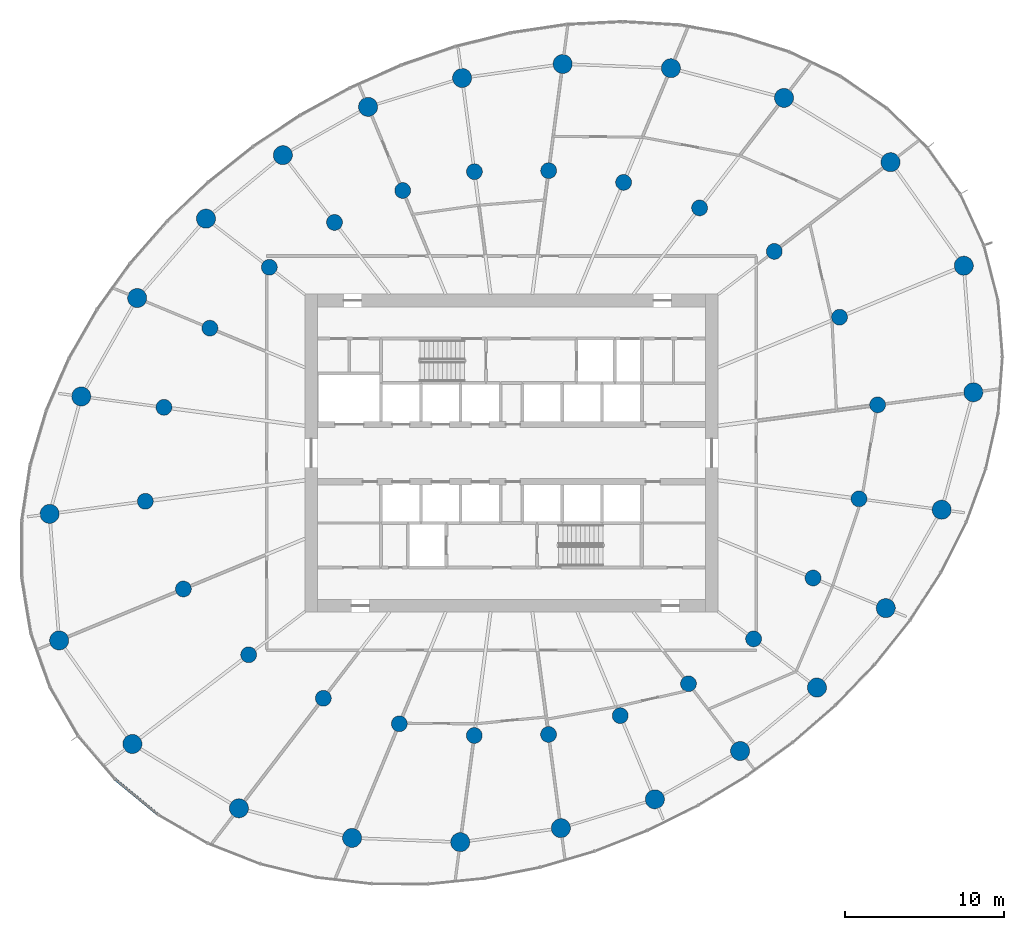
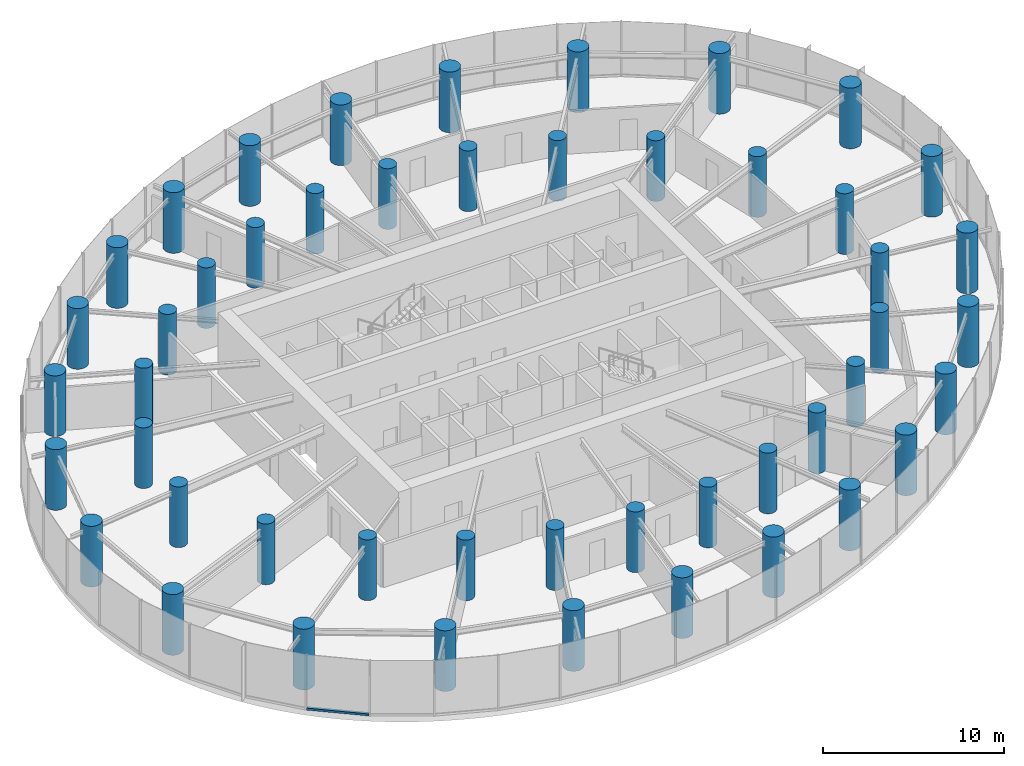
# One storey, part 1 of 17: 48 columns, 1 member, 1 element without a shape of its own.
"""IFC4 building model written with IfcOpenShell, lengths in metres."""

from ifc_helpers import new_model, si_unit, direction, frame, origin, origin_2d, place, context, subcontext, project, spatial, rectangle, circle, extrude, source, transform, mapped, material, layer, layer_set, material_profile, profile_set, type_object, element, aggregate, save


model = new_model("IFC4")

# Units and contexts
model_context = context("Model", 3, precision=1e-05, world=origin(), true_north=direction((0.0, 1.0)))
body_context = subcontext(model_context, "Body", "Model", "MODEL_VIEW")
ifc_project = project(units=[si_unit("LENGTHUNIT", "METRE"), si_unit("AREAUNIT", "SQUARE_METRE"), si_unit("VOLUMEUNIT", "CUBIC_METRE"), si_unit("PLANEANGLEUNIT", "RADIAN"), si_unit("MASSUNIT", "GRAM", prefix="KILO")], contexts=[model_context])

# Site, building, storey
site_placement = place(None, origin())
site = spatial("IfcSite", under=ifc_project, at=site_placement, CompositionType="ELEMENT")
building_placement = place(site_placement, origin())
building = spatial("IfcBuilding", under=site, at=building_placement, Name="Spindrift Exchange Tower", CompositionType="ELEMENT")
storey_placement = place(building_placement, frame((0.0, 0.0, 120.800048828125)))
storey = spatial("IfcBuildingStorey", under=building, at=storey_placement, Name="L28", CompositionType="ELEMENT", Elevation=120.800048828125)

# Columns
ifc_material_1 = material(Name="Concrete 65 MPa", Category="concrete")
ifc_material_profile_1 = material_profile(ifc_material_1, circle(Radius=0.5, at=origin_2d()), Name="RC D1000")
ifc_profile_set_1 = profile_set([ifc_material_profile_1], Name="Concrete 65 MPa")
column_type_1 = type_object("IfcColumnType", Name="RC Inner Column D1000 Concrete 65 MPa", PredefinedType="COLUMN", material=ifc_profile_set_1)
shared_shape_1 = source(origin(), body_context, "Body", "SweptSolid", [
    extrude(circle(Radius=0.5, at=origin_2d()), origin(), (0.0, 0.0, 1.0), 4.099853515625),
])
for number, where, z_axis, x_axis, name in (
    (1, (75.033935546875, 51.032470703125, 0.0), (0.0, 0.0, 1.0), (1.0, 0.0, 0.0), "Inner column Q2-01 L28"),
    (2, (72.639404296875, 56.549072265625, 0.0), (0.0, 0.0, 1.0), (1.0, 0.0, 0.0), "Inner column Q2-02 L28"),
    (3, (68.534912109375, 60.6875, 0.0), (0.0, 0.0, 1.0), (1.0, 0.0, 0.0), "Inner column Q2-03 L28"),
    (4, (63.835205078125, 63.423828125, 0.0), (0.0, 0.0, 1.0), (1.0, 0.0, 0.0), "Inner column Q2-04 L28"),
    (5, (59.0546875, 65.03125, 0.0), (0.0, 0.0, 1.0), (1.0, 0.0, 0.0), "Inner column Q2-05 L28"),
    (6, (54.339111328125, 65.767333984375, 0.0), (0.0, 0.0, 1.0), (1.0, 0.0, 0.0), "Inner column Q2-06 L28"),
    (7, (49.669189453125, 65.703125, 0.0), (0.0, 0.0, 1.0), (1.0, 0.0, 0.0), "Inner column Q2-07 L28"),
    (8, (45.158203125, 64.517578125, 0.0), (0.0, 0.0, 1.0), (1.0, 0.0, 0.0), "Inner column Q2-08 L28"),
    (9, (40.8662109375, 62.510009765625, 0.0), (0.0, 0.0, 1.0), (1.0, 0.0, 0.0), "Inner column Q2-09 L28"),
    (10, (36.767578125, 59.688232421875, 0.0), (0.0, 0.0, 1.0), (1.0, 0.0, 0.0), "Inner column Q2-10 L28"),
    (11, (33.027587890625, 55.858642578125, 0.0), (0.0, 0.0, 1.0), (1.0, 0.0, 0.0), "Inner column Q2-11 L28"),
    (12, (30.13671875, 50.87841796875, 0.0), (0.0, 0.0, 1.0), (1.0, 0.0, 0.0), "Inner column Q2-12 L28"),
    (13, (28.966064453125, 44.967529296875, 0.0), (0.0, 0.0, 1.0), (1.0, 0.0, 0.0), "Inner column Q2-13 L28"),
    (14, (31.360595703125, 39.450927734375, 0.0), (0.0, 0.0, 1.0), (1.0, 0.0, 0.0), "Inner column Q2-14 L28"),
    (15, (35.465087890625, 35.3125, 0.0), (0.0, 0.0, 1.0), (1.0, 0.0, 0.0), "Inner column Q2-15 L28"),
    (16, (40.164794921875, 32.576171875, 0.0), (0.0, 0.0, 1.0), (1.0, 0.0, 0.0), "Inner column Q2-16 L28"),
    (17, (44.9453125, 30.96875, 0.0), (0.0, 0.0, 1.0), (1.0, 0.0, 0.0), "Inner column Q2-17 L28"),
    (18, (49.660888671875, 30.232666015625, 0.0), (0.0, 0.0, 1.0), (1.0, 0.0, 0.0), "Inner column Q2-18 L28"),
    (19, (54.330810546875, 30.296875, 0.0), (0.0, 0.0, 1.0), (1.0, 0.0, 0.0), "Inner column Q2-19 L28"),
    (20, (58.841796875, 31.482421875, 0.0), (0.0, 0.0, 1.0), (1.0, 0.0, 0.0), "Inner column Q2-20 L28"),
    (21, (63.1337890625, 33.489990234375, 0.0), (0.0, 0.0, 1.0), (1.0, 0.0, 0.0), "Inner column Q2-21 L28"),
    (22, (67.232421875, 36.311767578125, 0.0), (0.0, 0.0, 1.0), (1.0, 0.0, 0.0), "Inner column Q2-22 L28"),
    (23, (70.972412109375, 40.141357421875, 0.0), (0.0, 0.0, 1.0), (1.0, 0.0, 0.0), "Inner column Q2-23 L28"),
    (24, (73.86328125, 45.12158203125, 0.0), (0.0, 0.0, 1.0), (1.0, 0.0, 0.0), "Inner column Q2-24 L28"),
):
    element("IfcColumn", number, at=place(storey_placement, frame(where, z_axis=z_axis, x_axis=x_axis)), inside=storey, type_object=column_type_1, Name=name, PredefinedType="COLUMN", context=body_context, shape_type="MappedRepresentation", body=[
        mapped(shared_shape_1, transform((0.0, 0.0, 0.0), scale=1.0)),
    ])
ifc_material_profile_2 = material_profile(ifc_material_1, circle(Radius=0.60009765625, at=origin_2d()), Name="RC D1200")
ifc_profile_set_2 = profile_set([ifc_material_profile_2], Name="Concrete 65 MPa")
column_type_2 = type_object("IfcColumnType", Name="RC Perimeter Column D1200 Concrete 65 MPa", PredefinedType="COLUMN", material=ifc_profile_set_2)
shared_shape_2 = source(origin(), body_context, "Body", "SweptSolid", [
    extrude(circle(Radius=0.60009765625, at=origin_2d()), origin(), (0.0, 0.0, 1.0), 4.099853515625),
])
for number, where, z_axis, x_axis, name in (
    (25, (81.056396484375, 51.8251953125, 0.0), (0.0, 0.0, 1.0), (1.0, 0.0, 0.0), "Perimeter column P2-01 L28"),
    (26, (80.45556640625, 59.78662109375, 0.0), (0.0, 0.0, 1.0), (1.0, 0.0, 0.0), "Perimeter column P2-02 L28"),
    (27, (75.84814453125, 66.29931640625, 0.0), (0.0, 0.0, 1.0), (1.0, 0.0, 0.0), "Perimeter column P2-03 L28"),
    (28, (69.145751953125, 70.3447265625, 0.0), (0.0, 0.0, 1.0), (1.0, 0.0, 0.0), "Perimeter column P2-04 L28"),
    (29, (62.029052734375, 72.212158203125, 0.0), (0.0, 0.0, 1.0), (1.0, 0.0, 0.0), "Perimeter column P2-05 L28"),
    (30, (55.222412109375, 72.476806640625, 0.0), (0.0, 0.0, 1.0), (1.0, 0.0, 0.0), "Perimeter column P2-06 L28"),
    (31, (48.8935546875, 71.595458984375, 0.0), (0.0, 0.0, 1.0), (1.0, 0.0, 0.0), "Perimeter column P2-07 L28"),
    (32, (42.978271484375, 69.780517578125, 0.0), (0.0, 0.0, 1.0), (1.0, 0.0, 0.0), "Perimeter column P2-08 L28"),
    (33, (37.617919921875, 66.742919921875, 0.0), (0.0, 0.0, 1.0), (1.0, 0.0, 0.0), "Perimeter column P2-09 L28"),
    (34, (32.7802734375, 62.747802734375, 0.0), (0.0, 0.0, 1.0), (1.0, 0.0, 0.0), "Perimeter column P2-10 L28"),
    (35, (28.4521484375, 57.75390625, 0.0), (0.0, 0.0, 1.0), (1.0, 0.0, 0.0), "Perimeter column P2-11 L28"),
    (36, (24.935546875, 51.56298828125, 0.0), (0.0, 0.0, 1.0), (1.0, 0.0, 0.0), "Perimeter column P2-12 L28"),
    (37, (22.943603515625, 44.1748046875, 0.0), (0.0, 0.0, 1.0), (1.0, 0.0, 0.0), "Perimeter column P2-13 L28"),
    (38, (23.54443359375, 36.21337890625, 0.0), (0.0, 0.0, 1.0), (1.0, 0.0, 0.0), "Perimeter column P2-14 L28"),
    (39, (28.15185546875, 29.70068359375, 0.0), (0.0, 0.0, 1.0), (1.0, 0.0, 0.0), "Perimeter column P2-15 L28"),
    (40, (34.854248046875, 25.6552734375, 0.0), (0.0, 0.0, 1.0), (1.0, 0.0, 0.0), "Perimeter column P2-16 L28"),
    (41, (41.970947265625, 23.787841796875, 0.0), (0.0, 0.0, 1.0), (1.0, 0.0, 0.0), "Perimeter column P2-17 L28"),
    (42, (48.777587890625, 23.523193359375, 0.0), (0.0, 0.0, 1.0), (1.0, 0.0, 0.0), "Perimeter column P2-18 L28"),
    (43, (55.1064453125, 24.404541015625, 0.0), (0.0, 0.0, 1.0), (1.0, 0.0, 0.0), "Perimeter column P2-19 L28"),
    (44, (61.021728515625, 26.219482421875, 0.0), (0.0, 0.0, 1.0), (1.0, 0.0, 0.0), "Perimeter column P2-20 L28"),
    (45, (66.382080078125, 29.257080078125, 0.0), (0.0, 0.0, 1.0), (1.0, 0.0, 0.0), "Perimeter column P2-21 L28"),
    (46, (71.2197265625, 33.252197265625, 0.0), (0.0, 0.0, 1.0), (1.0, 0.0, 0.0), "Perimeter column P2-22 L28"),
    (47, (75.5478515625, 38.24609375, 0.0), (0.0, 0.0, 1.0), (1.0, 0.0, 0.0), "Perimeter column P2-23 L28"),
    (48, (79.064453125, 44.43701171875, 0.0), (0.0, 0.0, 1.0), (1.0, 0.0, 0.0), "Perimeter column P2-24 L28"),
):
    element("IfcColumn", number, at=place(storey_placement, frame(where, z_axis=z_axis, x_axis=x_axis)), inside=storey, type_object=column_type_2, Name=name, PredefinedType="COLUMN", context=body_context, shape_type="MappedRepresentation", body=[
        mapped(shared_shape_2, transform((0.0, 0.0, 0.0), scale=1.0)),
    ])

# Curtain wall, member
ifc_material_2 = material(Name="Fritted laminated glass with bronze frame", Category="glass")
ifc_layer = layer(ifc_material_2, 0.18994140625)
ifc_layer_set = layer_set([ifc_layer], Name="ZONE 2 BRONZE FRITTED WALL")
curtain_wall_type = type_object("IfcCurtainWallType", Name="ZONE 2 BRONZE FRITTED WALL", PredefinedType="NOTDEFINED", material=ifc_layer_set)
curtain_wall_placement = place(storey_placement, origin())
curtain_wall = element("IfcCurtainWall", 49, at=curtain_wall_placement, inside=storey, type_object=curtain_wall_type, Name="L28 Zone 2 Bronze Fritted Wall run 5", PredefinedType="NOTDEFINED")
ifc_material_3 = material(Name="Bronze anodised aluminium", Category="aluminium")
ifc_material_profile_3 = material_profile(ifc_material_3, rectangle(XDim=0.169921875, YDim=0.139892578125, at=origin_2d()), Name="ZONE 2 BRONZE FRITTED WALL TRANSOM 170X140")
ifc_profile_set_3 = profile_set([ifc_material_profile_3], Name="Bronze anodised aluminium")
member_type = type_object("IfcMemberType", Name="ZONE 2 BRONZE FRITTED WALL TRANSOM 170X140", PredefinedType="USERDEFINED", material=ifc_profile_set_3)
shared_shape_3 = source(origin(), body_context, "Body", "SweptSolid", [
    extrude(rectangle(XDim=0.169921875, YDim=0.139892578125, at=origin_2d()), origin(), (0.0, 0.0, 1.0), 3.488525390625),
])
member_placement = place(storey_placement, frame((27.0712890625, 27.471435546875, 0.070068359375), z_axis=(0.772767934363, -0.634688679291, 0.0), x_axis=(0.634688679291, 0.772767934363, 0.0)))
member = element("IfcMember", 50, at=member_placement, type_object=member_type, Name="L28 transom CW-2.28", ObjectType="TRANSOM", PredefinedType="USERDEFINED", context=body_context, shape_type="MappedRepresentation", body=[
    mapped(shared_shape_3, transform((0.0, 0.0, 0.0), scale=1.0)),
])
aggregate(curtain_wall, [member])

save(model, "model.ifc")
